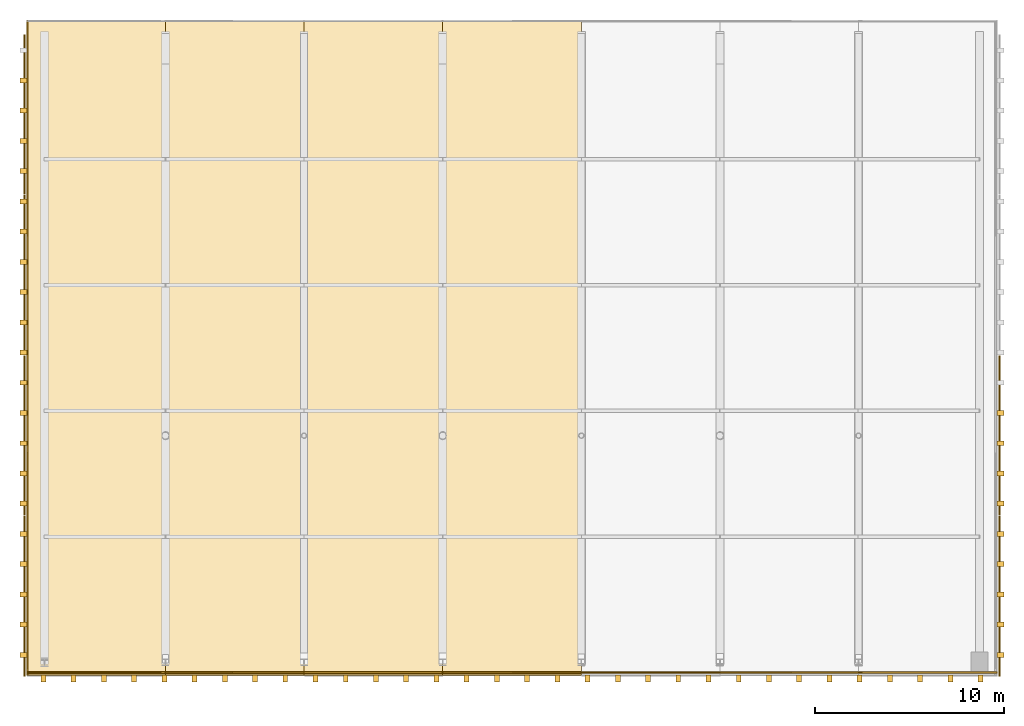
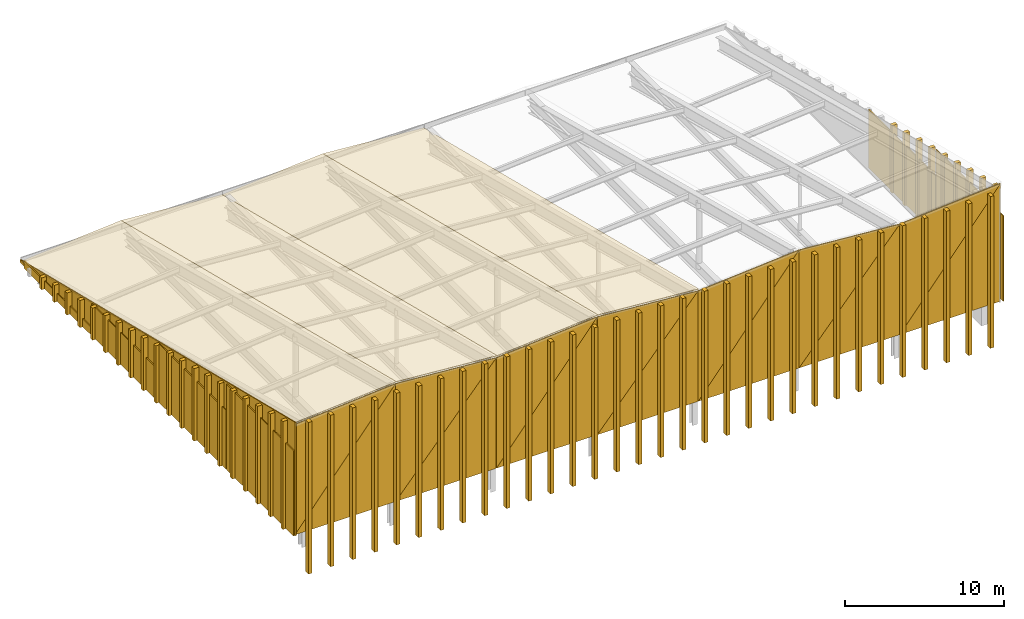
# One storey, part 7 of 8: 87 coverings.
"""IFC4 building model written with IfcOpenShell, lengths in metres."""

import ifcopenshell
import ifcopenshell.guid

model = None  # the IFC model being written
_history = None  # IfcOwnerHistory: only IFC2X3 demands one
_inside = {}  # id of a spatial element -> (the spatial element, [elements in it])
_under = {}  # id of a project, library or spatial element -> (it, [spatial elements below it])
_declared = {}  # id of a project -> (the project, [libraries it declares])
_typed = {}  # id of a type object -> (the type object, [elements of that type])
_made_of = {}  # id of a material, layer set ... -> (it, [elements and type objects made of it])


def new_model(schema):
    """Start an empty IFC model of exactly this schema.

    Asked for "IFC4X3", IfcOpenShell would pick the latest addendum, in which some entities
    have other attributes; the version numbers below select the first issue.
    IFC2X3 requires an IfcOwnerHistory on every rooted entity: one is made here for all.
    """
    global model, _history
    if schema == "IFC4X3":
        model = ifcopenshell.file(schema_version=(4, 3, 0, 0))
    else:
        model = ifcopenshell.file(schema=schema)
    _inside.clear()
    _under.clear()
    _declared.clear()
    _typed.clear()
    _made_of.clear()
    _history = None
    if model.schema == "IFC2X3":
        org = make("IfcOrganization", Name="unknown")
        user = make(
            "IfcPersonAndOrganization",
            ThePerson=make("IfcPerson", FamilyName="unknown"),
            TheOrganization=org,
        )
        app = make(
            "IfcApplication",
            ApplicationDeveloper=org,
            Version="unknown",
            ApplicationFullName="unknown",
            ApplicationIdentifier="unknown",
        )
        _history = make(
            "IfcOwnerHistory",
            OwningUser=user,
            OwningApplication=app,
            ChangeAction="ADDED",
            CreationDate=0,
        )
    return model


def make(cls, **values):
    """One entity of the class cls with the attributes given. An attribute that is None is left unset."""
    return model.create_entity(
        cls, **{name: value for name, value in values.items() if value is not None}
    )


def rooted(cls, **values):
    """An entity with a GlobalId (a new one), such as an element, a storey or a relation."""
    return make(cls, GlobalId=ifcopenshell.guid.new(), OwnerHistory=_history, **values)


def si_unit(unit_type, name, prefix=None):
    """IfcSIUnit, for example si_unit("LENGTHUNIT", "METRE", prefix="MILLI")."""
    return make("IfcSIUnit", UnitType=unit_type, Prefix=prefix, Name=name)


def assignment(units):
    """IfcUnitAssignment: the units of a project."""
    return None if units is None else make("IfcUnitAssignment", Units=units)


def point(xyz):
    """IfcCartesianPoint."""
    return None if xyz is None else make("IfcCartesianPoint", Coordinates=xyz)


def direction(xyz):
    """IfcDirection."""
    return None if xyz is None else make("IfcDirection", DirectionRatios=xyz)


def frame(location, z_axis=None, x_axis=None):
    """IfcAxis2Placement3D, a coordinate frame: its origin and axes. An axis left out is left unset."""
    return make(
        "IfcAxis2Placement3D",
        Location=point(location),
        Axis=direction(z_axis),
        RefDirection=direction(x_axis),
    )


def frame_2d(location, x_axis=None):
    """IfcAxis2Placement2D, a coordinate frame in the plane: its origin and x axis."""
    return make(
        "IfcAxis2Placement2D", Location=point(location), RefDirection=direction(x_axis)
    )


def origin():
    """The frame at (0, 0, 0) with its axes left unset."""
    return frame((0.0, 0.0, 0.0))


def origin_2d():
    """The frame at (0, 0) in the plane with its x axis left unset."""
    return frame_2d((0.0, 0.0))


def place(relative_to, where):
    """IfcLocalPlacement: puts the frame where relative to a parent placement (None: the world)."""
    return make(
        "IfcLocalPlacement", PlacementRelTo=relative_to, RelativePlacement=where
    )


def context(
    kind, dimensions, precision=None, world=None, true_north=None, identifier=None
):
    """IfcGeometricRepresentationContext, for example the 3D "Model" context."""
    return make(
        "IfcGeometricRepresentationContext",
        ContextIdentifier=identifier,
        ContextType=kind,
        CoordinateSpaceDimension=dimensions,
        Precision=precision,
        WorldCoordinateSystem=world,
        TrueNorth=true_north,
    )


def subcontext(parent, identifier, kind, view, scale=None):
    """IfcGeometricRepresentationSubContext, for example "Body" below "Model"."""
    return make(
        "IfcGeometricRepresentationSubContext",
        ContextIdentifier=identifier,
        ContextType=kind,
        ParentContext=parent,
        TargetScale=scale,
        TargetView=view,
    )


def project(units=None, contexts=None):
    """IfcProject with its units and contexts."""
    return rooted(
        "IfcProject",
        Name="project",
        RepresentationContexts=contexts,
        UnitsInContext=assignment(units),
    )


def spatial(cls, under=None, at=None, **own):
    """A site, building, storey or space (cls), placed at a placement, below another one or the project."""
    s = rooted(cls, ObjectPlacement=at, **own)
    if under is not None:
        _under.setdefault(under.id(), (under, []))[1].append(s)
    return s


def polyline(points):
    """IfcPolyline through the points."""
    return make("IfcPolyline", Points=[point(p) for p in points])


def profile(cls, at=None, kind="AREA", **sizes):
    """A parametric profile (cls). Its sizes go by their IFC names, for example OverallWidth=200.0."""
    return make(cls, ProfileType=kind, Position=at, **sizes)


def rectangle(**sizes):
    """IfcRectangleProfileDef."""
    return profile("IfcRectangleProfileDef", **sizes)


def outline(outer, holes=None, kind="AREA"):
    """IfcArbitraryClosedProfileDef: a profile drawn as a closed curve; with holes, ...WithVoids."""
    if holes is None:
        return make("IfcArbitraryClosedProfileDef", ProfileType=kind, OuterCurve=outer)
    return make(
        "IfcArbitraryProfileDefWithVoids",
        ProfileType=kind,
        OuterCurve=outer,
        InnerCurves=holes,
    )


def extrude(swept, where, along, depth):
    """IfcExtrudedAreaSolid: the profile swept, set in the frame where, extruded along a direction by depth."""
    return make(
        "IfcExtrudedAreaSolid",
        SweptArea=swept,
        Position=where,
        ExtrudedDirection=direction(along),
        Depth=depth,
    )


def shape(context_of_items, identifier, shape_type, items):
    """IfcShapeRepresentation: the items that make up one representation, for example the "Body"."""
    return make(
        "IfcShapeRepresentation",
        ContextOfItems=context_of_items,
        RepresentationIdentifier=identifier,
        RepresentationType=shape_type,
        Items=items,
    )


def material(Name=None, Category=None):
    """IfcMaterial."""
    return make("IfcMaterial", Name=Name, Category=Category)


def layer(
    of_material, thickness, ventilated=None, Name=None, Category=None, Priority=None
):
    """IfcMaterialLayer: one layer of a wall or slab, of a material (None: an air gap)."""
    return make(
        "IfcMaterialLayer",
        Material=of_material,
        LayerThickness=thickness,
        IsVentilated=ventilated,
        Name=Name,
        Category=Category,
        Priority=Priority,
    )


def layer_set(layers, Name=None):
    """IfcMaterialLayerSet."""
    return make("IfcMaterialLayerSet", MaterialLayers=layers, LayerSetName=Name)


def made_of(thing, what):
    """Note that an element or type object is made of a material, layer set ...; save() writes the relation."""
    if what is not None:
        _made_of.setdefault(what.id(), (what, []))[1].append(thing)
    return thing


def type_object(cls, material=None, **own):
    """A type object (cls), such as IfcWallType, which elements share."""
    return made_of(rooted(cls, **own), material)


def element(
    cls,
    number,
    at=None,
    inside=None,
    cuts=None,
    type_object=None,
    material=None,
    context=None,
    identifier="Body",
    shape_type=None,
    held_by="IfcProductDefinitionShape",
    body=None,
    shapes=None,
    **own,
):
    """One element of the class cls, such as IfcWall. Its Tag is "e" and its number.

    at: its placement. inside: the storey or other place that contains it. cuts: it is an
    opening in that element (IfcRelVoidsElement). A single representation is given by context,
    identifier, shape_type and body (its items); several are given by shapes. held_by: the class
    of the entity that holds the representations. save() writes the other relations.
    """
    e = rooted(cls, Tag="e%d" % number, ObjectPlacement=at, **own)
    if body is not None:
        shapes = [shape(context, identifier, shape_type, body)]
    if shapes is not None:
        e.Representation = make(held_by, Representations=shapes)
    if inside is not None:
        _inside.setdefault(inside.id(), (inside, []))[1].append(e)
    if cuts is not None:
        rooted(
            "IfcRelVoidsElement", RelatingBuildingElement=cuts, RelatedOpeningElement=e
        )
    if type_object is not None:
        _typed.setdefault(type_object.id(), (type_object, []))[1].append(e)
    return made_of(e, material)


def aggregate(whole, parts):
    """IfcRelAggregates: a whole, such as a stair, and the parts it consists of."""
    return rooted("IfcRelAggregates", RelatingObject=whole, RelatedObjects=parts)


def save(model, path):
    """Write the relations noted so far, then the file.

    IfcRelAggregates (storeys below a building ...), IfcRelContainedInSpatialStructure (elements
    in a storey), IfcRelDefinesByType, IfcRelAssociatesMaterial and IfcRelDeclares: one each for
    every whole, place, type object, material and project.
    """
    for whole, parts in _under.values():
        aggregate(whole, parts)
    for where, things in _inside.values():
        rooted(
            "IfcRelContainedInSpatialStructure",
            RelatedElements=things,
            RelatingStructure=where,
        )
    for kind, things in _typed.values():
        rooted("IfcRelDefinesByType", RelatedObjects=things, RelatingType=kind)
    for what, things in _made_of.values():
        rooted("IfcRelAssociatesMaterial", RelatedObjects=things, RelatingMaterial=what)
    for by, libraries in _declared.values():
        rooted("IfcRelDeclares", RelatingContext=by, RelatedDefinitions=libraries)
    model.write(path)


model = new_model("IFC4")

# Units and contexts
model_context = context("Model", 3, precision=1e-05, world=origin(), true_north=direction((0.0, 1.0)))
body_context = subcontext(model_context, "Body", "Model", "MODEL_VIEW")
ifc_project = project(units=[si_unit("LENGTHUNIT", "METRE"), si_unit("AREAUNIT", "SQUARE_METRE"), si_unit("VOLUMEUNIT", "CUBIC_METRE"), si_unit("PLANEANGLEUNIT", "RADIAN"), si_unit("MASSUNIT", "GRAM", prefix="KILO")], contexts=[model_context])

# Site, building, storey
site_placement = place(None, origin())
site = spatial("IfcSite", under=ifc_project, at=site_placement, CompositionType="ELEMENT")
building_placement = place(site_placement, origin())
building = spatial("IfcBuilding", under=site, at=building_placement, Name="Trimount Lyric Opera House", CompositionType="ELEMENT")
storey_placement = place(building_placement, frame((0.0, 0.0, 34.199951171875)))
storey = spatial("IfcBuildingStorey", under=building, at=storey_placement, Name="RF", CompositionType="ELEMENT", Elevation=34.199951171875)

# Coverings
ifc_material_1 = material(Name="Extruded Brushed Aluminium Vertical Shed Rib", Category="aluminium")
ifc_layer_1 = layer(ifc_material_1, 0.260009765625)
ifc_layer_set_1 = layer_set([ifc_layer_1], Name="CLD-RIB1")
covering_type_1 = type_object("IfcCoveringType", Name="CLD-RIB1", PredefinedType="CLADDING", material=ifc_layer_set_1)
covering_1_placement = place(storey_placement, frame((63.14990234375, 84.39990234375, -0.02001953125), z_axis=(0.0, 0.0, 1.0), x_axis=(1.0, 0.0, 0.0)))
element("IfcCovering", 1, at=covering_1_placement, inside=storey, type_object=covering_type_1, Name="Fly-tower W crown vertical rib 020", PredefinedType="CLADDING", context=body_context, shape_type="SweptSolid", body=[
    extrude(rectangle(XDim=0.3798828125, YDim=0.260009765625, at=origin_2d()), origin(), (0.0, 0.0, 1.0), 8.3076171875),
])
covering_2_placement = place(storey_placement, frame((63.14990234375, 86.0, -0.02001953125), z_axis=(0.0, 0.0, 1.0), x_axis=(1.0, 0.0, 0.0)))
element("IfcCovering", 2, at=covering_2_placement, inside=storey, type_object=covering_type_1, Name="Fly-tower W crown vertical rib 022", PredefinedType="CLADDING", context=body_context, shape_type="SweptSolid", body=[
    extrude(rectangle(XDim=0.3798828125, YDim=0.260009765625, at=origin_2d()), origin(), (0.0, 0.0, 1.0), 7.91845703125),
])
covering_3_placement = place(storey_placement, frame((63.14990234375, 87.60009765625, -0.02001953125), z_axis=(0.0, 0.0, 1.0), x_axis=(1.0, 0.0, 0.0)))
element("IfcCovering", 3, at=covering_3_placement, inside=storey, type_object=covering_type_1, Name="Fly-tower W crown vertical rib 024", PredefinedType="CLADDING", context=body_context, shape_type="SweptSolid", body=[
    extrude(rectangle(XDim=0.3798828125, YDim=0.260009765625, at=origin_2d()), origin(), (0.0, 0.0, 1.0), 7.529541015625),
])
covering_4_placement = place(storey_placement, frame((63.14990234375, 89.199951171875, -0.02001953125), z_axis=(0.0, 0.0, 1.0), x_axis=(1.0, 0.0, 0.0)))
element("IfcCovering", 4, at=covering_4_placement, inside=storey, type_object=covering_type_1, Name="Fly-tower W crown vertical rib 026", PredefinedType="CLADDING", context=body_context, shape_type="SweptSolid", body=[
    extrude(rectangle(XDim=0.3798828125, YDim=0.260009765625, at=origin_2d()), origin(), (0.0, 0.0, 1.0), 7.140625),
])
covering_5_placement = place(storey_placement, frame((63.14990234375, 90.800048828125, -0.02001953125), z_axis=(0.0, 0.0, 1.0), x_axis=(1.0, 0.0, 0.0)))
element("IfcCovering", 5, at=covering_5_placement, inside=storey, type_object=covering_type_1, Name="Fly-tower W crown vertical rib 028", PredefinedType="CLADDING", context=body_context, shape_type="SweptSolid", body=[
    extrude(rectangle(XDim=0.3798828125, YDim=0.260009765625, at=origin_2d()), origin(), (0.0, 0.0, 1.0), 6.751708984375),
])
covering_6_placement = place(storey_placement, frame((63.14990234375, 92.39990234375, -0.02001953125), z_axis=(0.0, 0.0, 1.0), x_axis=(1.0, 0.0, 0.0)))
element("IfcCovering", 6, at=covering_6_placement, inside=storey, type_object=covering_type_1, Name="Fly-tower W crown vertical rib 030", PredefinedType="CLADDING", context=body_context, shape_type="SweptSolid", body=[
    extrude(rectangle(XDim=0.3798828125, YDim=0.260009765625, at=origin_2d()), origin(), (0.0, 0.0, 1.0), 6.36279296875),
])
covering_7_placement = place(storey_placement, frame((63.14990234375, 94.0, -0.02001953125), z_axis=(0.0, 0.0, 1.0), x_axis=(1.0, 0.0, 0.0)))
element("IfcCovering", 7, at=covering_7_placement, inside=storey, type_object=covering_type_1, Name="Fly-tower W crown vertical rib 032", PredefinedType="CLADDING", context=body_context, shape_type="SweptSolid", body=[
    extrude(rectangle(XDim=0.3798828125, YDim=0.260009765625, at=origin_2d()), origin(), (0.0, 0.0, 1.0), 5.973876953125),
])
covering_8_placement = place(storey_placement, frame((63.14990234375, 95.60009765625, -0.02001953125), z_axis=(0.0, 0.0, 1.0), x_axis=(1.0, 0.0, 0.0)))
element("IfcCovering", 8, at=covering_8_placement, inside=storey, type_object=covering_type_1, Name="Fly-tower W crown vertical rib 034", PredefinedType="CLADDING", context=body_context, shape_type="SweptSolid", body=[
    extrude(rectangle(XDim=0.3798828125, YDim=0.260009765625, at=origin_2d()), origin(), (0.0, 0.0, 1.0), 5.5849609375),
])
covering_9_placement = place(storey_placement, frame((63.14990234375, 97.199951171875, -0.02001953125), z_axis=(0.0, 0.0, 1.0), x_axis=(1.0, 0.0, 0.0)))
element("IfcCovering", 9, at=covering_9_placement, inside=storey, type_object=covering_type_1, Name="Fly-tower W crown vertical rib 036", PredefinedType="CLADDING", context=body_context, shape_type="SweptSolid", body=[
    extrude(rectangle(XDim=0.3798828125, YDim=0.260009765625, at=origin_2d()), origin(), (0.0, 0.0, 1.0), 5.196044921875),
])
covering_10_placement = place(storey_placement, frame((63.14990234375, 98.800048828125, -0.02001953125), z_axis=(0.0, 0.0, 1.0), x_axis=(1.0, 0.0, 0.0)))
element("IfcCovering", 10, at=covering_10_placement, inside=storey, type_object=covering_type_1, Name="Fly-tower W crown vertical rib 038", PredefinedType="CLADDING", context=body_context, shape_type="SweptSolid", body=[
    extrude(rectangle(XDim=0.3798828125, YDim=0.260009765625, at=origin_2d()), origin(), (0.0, 0.0, 1.0), 4.80712890625),
])
covering_11_placement = place(storey_placement, frame((63.14990234375, 100.39990234375, -0.02001953125), z_axis=(0.0, 0.0, 1.0), x_axis=(1.0, 0.0, 0.0)))
element("IfcCovering", 11, at=covering_11_placement, inside=storey, type_object=covering_type_1, Name="Fly-tower W crown vertical rib 040", PredefinedType="CLADDING", context=body_context, shape_type="SweptSolid", body=[
    extrude(rectangle(XDim=0.3798828125, YDim=0.260009765625, at=origin_2d()), origin(), (0.0, 0.0, 1.0), 4.418212890625),
])
covering_12_placement = place(storey_placement, frame((63.14990234375, 102.0, -0.02001953125), z_axis=(0.0, 0.0, 1.0), x_axis=(1.0, 0.0, 0.0)))
element("IfcCovering", 12, at=covering_12_placement, inside=storey, type_object=covering_type_1, Name="Fly-tower W crown vertical rib 042", PredefinedType="CLADDING", context=body_context, shape_type="SweptSolid", body=[
    extrude(rectangle(XDim=0.3798828125, YDim=0.260009765625, at=origin_2d()), origin(), (0.0, 0.0, 1.0), 4.029296875),
])
covering_13_placement = place(storey_placement, frame((63.14990234375, 103.60009765625, -0.02001953125), z_axis=(0.0, 0.0, 1.0), x_axis=(1.0, 0.0, 0.0)))
element("IfcCovering", 13, at=covering_13_placement, inside=storey, type_object=covering_type_1, Name="Fly-tower W crown vertical rib 044", PredefinedType="CLADDING", context=body_context, shape_type="SweptSolid", body=[
    extrude(rectangle(XDim=0.3798828125, YDim=0.260009765625, at=origin_2d()), origin(), (0.0, 0.0, 1.0), 3.640380859375),
])
covering_14_placement = place(storey_placement, frame((63.14990234375, 105.199951171875, -0.02001953125), z_axis=(0.0, 0.0, 1.0), x_axis=(1.0, 0.0, 0.0)))
element("IfcCovering", 14, at=covering_14_placement, inside=storey, type_object=covering_type_1, Name="Fly-tower W crown vertical rib 046", PredefinedType="CLADDING", context=body_context, shape_type="SweptSolid", body=[
    extrude(rectangle(XDim=0.3798828125, YDim=0.260009765625, at=origin_2d()), origin(), (0.0, 0.0, 1.0), 3.25146484375),
])
covering_15_placement = place(storey_placement, frame((63.14990234375, 106.800048828125, -0.02001953125), z_axis=(0.0, 0.0, 1.0), x_axis=(1.0, 0.0, 0.0)))
element("IfcCovering", 15, at=covering_15_placement, inside=storey, type_object=covering_type_1, Name="Fly-tower W crown vertical rib 048", PredefinedType="CLADDING", context=body_context, shape_type="SweptSolid", body=[
    extrude(rectangle(XDim=0.3798828125, YDim=0.260009765625, at=origin_2d()), origin(), (0.0, 0.0, 1.0), 2.862548828125),
])
covering_16_placement = place(storey_placement, frame((63.14990234375, 108.39990234375, -0.02001953125), z_axis=(0.0, 0.0, 1.0), x_axis=(1.0, 0.0, 0.0)))
element("IfcCovering", 16, at=covering_16_placement, inside=storey, type_object=covering_type_1, Name="Fly-tower W crown vertical rib 050", PredefinedType="CLADDING", context=body_context, shape_type="SweptSolid", body=[
    extrude(rectangle(XDim=0.3798828125, YDim=0.260009765625, at=origin_2d()), origin(), (0.0, 0.0, 1.0), 2.4736328125),
])
covering_17_placement = place(storey_placement, frame((63.14990234375, 110.0, -0.02001953125), z_axis=(0.0, 0.0, 1.0), x_axis=(1.0, 0.0, 0.0)))
element("IfcCovering", 17, at=covering_17_placement, inside=storey, type_object=covering_type_1, Name="Fly-tower W crown vertical rib 052", PredefinedType="CLADDING", context=body_context, shape_type="SweptSolid", body=[
    extrude(rectangle(XDim=0.3798828125, YDim=0.260009765625, at=origin_2d()), origin(), (0.0, 0.0, 1.0), 2.084716796875),
])
covering_18_placement = place(storey_placement, frame((63.14990234375, 111.60009765625, -0.02001953125), z_axis=(0.0, 0.0, 1.0), x_axis=(1.0, 0.0, 0.0)))
element("IfcCovering", 18, at=covering_18_placement, inside=storey, type_object=covering_type_1, Name="Fly-tower W crown vertical rib 054", PredefinedType="CLADDING", context=body_context, shape_type="SweptSolid", body=[
    extrude(rectangle(XDim=0.3798828125, YDim=0.260009765625, at=origin_2d()), origin(), (0.0, 0.0, 1.0), 1.69580078125),
])
covering_19_placement = place(storey_placement, frame((63.14990234375, 113.199951171875, -0.02001953125), z_axis=(0.0, 0.0, 1.0), x_axis=(1.0, 0.0, 0.0)))
element("IfcCovering", 19, at=covering_19_placement, inside=storey, type_object=covering_type_1, Name="Fly-tower W crown vertical rib 056", PredefinedType="CLADDING", context=body_context, shape_type="SweptSolid", body=[
    extrude(rectangle(XDim=0.3798828125, YDim=0.260009765625, at=origin_2d()), origin(), (0.0, 0.0, 1.0), 1.306884765625),
])
covering_20_placement = place(storey_placement, frame((63.14990234375, 114.800048828125, -0.02001953125), z_axis=(0.0, 0.0, 1.0), x_axis=(1.0, 0.0, 0.0)))
element("IfcCovering", 20, at=covering_20_placement, inside=storey, type_object=covering_type_1, Name="Fly-tower W crown vertical rib 058", PredefinedType="CLADDING", context=body_context, shape_type="SweptSolid", body=[
    extrude(rectangle(XDim=0.3798828125, YDim=0.260009765625, at=origin_2d()), origin(), (0.0, 0.0, 1.0), 0.91796875),
])
covering_21_placement = place(storey_placement, frame((114.85009765625, 84.39990234375, -0.02001953125), z_axis=(0.0, 0.0, 1.0), x_axis=(1.0, 0.0, 0.0)))
element("IfcCovering", 21, at=covering_21_placement, inside=storey, type_object=covering_type_1, Name="Fly-tower E crown vertical rib 080", PredefinedType="CLADDING", context=body_context, shape_type="SweptSolid", body=[
    extrude(rectangle(XDim=0.3798828125, YDim=0.260009765625, at=origin_2d()), origin(), (0.0, 0.0, 1.0), 8.3076171875),
])
covering_22_placement = place(storey_placement, frame((114.85009765625, 86.0, -0.02001953125), z_axis=(0.0, 0.0, 1.0), x_axis=(1.0, 0.0, 0.0)))
element("IfcCovering", 22, at=covering_22_placement, inside=storey, type_object=covering_type_1, Name="Fly-tower E crown vertical rib 082", PredefinedType="CLADDING", context=body_context, shape_type="SweptSolid", body=[
    extrude(rectangle(XDim=0.3798828125, YDim=0.260009765625, at=origin_2d()), origin(), (0.0, 0.0, 1.0), 7.91845703125),
])
covering_23_placement = place(storey_placement, frame((114.85009765625, 87.60009765625, -0.02001953125), z_axis=(0.0, 0.0, 1.0), x_axis=(1.0, 0.0, 0.0)))
element("IfcCovering", 23, at=covering_23_placement, inside=storey, type_object=covering_type_1, Name="Fly-tower E crown vertical rib 084", PredefinedType="CLADDING", context=body_context, shape_type="SweptSolid", body=[
    extrude(rectangle(XDim=0.3798828125, YDim=0.260009765625, at=origin_2d()), origin(), (0.0, 0.0, 1.0), 7.529541015625),
])
covering_24_placement = place(storey_placement, frame((114.85009765625, 89.199951171875, -0.02001953125), z_axis=(0.0, 0.0, 1.0), x_axis=(1.0, 0.0, 0.0)))
element("IfcCovering", 24, at=covering_24_placement, inside=storey, type_object=covering_type_1, Name="Fly-tower E crown vertical rib 086", PredefinedType="CLADDING", context=body_context, shape_type="SweptSolid", body=[
    extrude(rectangle(XDim=0.3798828125, YDim=0.260009765625, at=origin_2d()), origin(), (0.0, 0.0, 1.0), 7.140625),
])
covering_25_placement = place(storey_placement, frame((114.85009765625, 90.800048828125, -0.02001953125), z_axis=(0.0, 0.0, 1.0), x_axis=(1.0, 0.0, 0.0)))
element("IfcCovering", 25, at=covering_25_placement, inside=storey, type_object=covering_type_1, Name="Fly-tower E crown vertical rib 088", PredefinedType="CLADDING", context=body_context, shape_type="SweptSolid", body=[
    extrude(rectangle(XDim=0.3798828125, YDim=0.260009765625, at=origin_2d()), origin(), (0.0, 0.0, 1.0), 6.751708984375),
])
covering_26_placement = place(storey_placement, frame((114.85009765625, 92.39990234375, -0.02001953125), z_axis=(0.0, 0.0, 1.0), x_axis=(1.0, 0.0, 0.0)))
element("IfcCovering", 26, at=covering_26_placement, inside=storey, type_object=covering_type_1, Name="Fly-tower E crown vertical rib 090", PredefinedType="CLADDING", context=body_context, shape_type="SweptSolid", body=[
    extrude(rectangle(XDim=0.3798828125, YDim=0.260009765625, at=origin_2d()), origin(), (0.0, 0.0, 1.0), 6.36279296875),
])
covering_27_placement = place(storey_placement, frame((114.85009765625, 94.0, -0.02001953125), z_axis=(0.0, 0.0, 1.0), x_axis=(1.0, 0.0, 0.0)))
element("IfcCovering", 27, at=covering_27_placement, inside=storey, type_object=covering_type_1, Name="Fly-tower E crown vertical rib 092", PredefinedType="CLADDING", context=body_context, shape_type="SweptSolid", body=[
    extrude(rectangle(XDim=0.3798828125, YDim=0.260009765625, at=origin_2d()), origin(), (0.0, 0.0, 1.0), 5.973876953125),
])
covering_28_placement = place(storey_placement, frame((114.85009765625, 95.60009765625, -0.02001953125), z_axis=(0.0, 0.0, 1.0), x_axis=(1.0, 0.0, 0.0)))
element("IfcCovering", 28, at=covering_28_placement, inside=storey, type_object=covering_type_1, Name="Fly-tower E crown vertical rib 094", PredefinedType="CLADDING", context=body_context, shape_type="SweptSolid", body=[
    extrude(rectangle(XDim=0.3798828125, YDim=0.260009765625, at=origin_2d()), origin(), (0.0, 0.0, 1.0), 5.5849609375),
])
covering_29_placement = place(storey_placement, frame((114.85009765625, 97.199951171875, -0.02001953125), z_axis=(0.0, 0.0, 1.0), x_axis=(1.0, 0.0, 0.0)))
element("IfcCovering", 29, at=covering_29_placement, inside=storey, type_object=covering_type_1, Name="Fly-tower E crown vertical rib 096", PredefinedType="CLADDING", context=body_context, shape_type="SweptSolid", body=[
    extrude(rectangle(XDim=0.3798828125, YDim=0.260009765625, at=origin_2d()), origin(), (0.0, 0.0, 1.0), 5.196044921875),
])
for number, where, z_axis, x_axis, name in (
    (30, (64.199951171875, 83.155029296875, -3.0498046875), (0.0, 0.0, 1.0), (1.0, 0.0, 0.0), "Fly-tower south proscenium vertical rib 122"),
    (31, (65.800048828125, 83.155029296875, -3.0498046875), (0.0, 0.0, 1.0), (1.0, 0.0, 0.0), "Fly-tower south proscenium vertical rib 127"),
    (32, (67.39990234375, 83.155029296875, -3.0498046875), (0.0, 0.0, 1.0), (1.0, 0.0, 0.0), "Fly-tower south proscenium vertical rib 132"),
    (33, (69.0, 83.155029296875, -3.0498046875), (0.0, 0.0, 1.0), (1.0, 0.0, 0.0), "Fly-tower south proscenium vertical rib 137"),
    (34, (70.60009765625, 83.155029296875, -3.0498046875), (0.0, 0.0, 1.0), (1.0, 0.0, 0.0), "Fly-tower south proscenium vertical rib 142"),
    (35, (72.199951171875, 83.155029296875, -3.0498046875), (0.0, 0.0, 1.0), (1.0, 0.0, 0.0), "Fly-tower south proscenium vertical rib 147"),
    (36, (73.800048828125, 83.155029296875, -3.0498046875), (0.0, 0.0, 1.0), (1.0, 0.0, 0.0), "Fly-tower south proscenium vertical rib 152"),
    (37, (75.39990234375, 83.155029296875, -3.0498046875), (0.0, 0.0, 1.0), (1.0, 0.0, 0.0), "Fly-tower south proscenium vertical rib 157"),
    (38, (77.0, 83.155029296875, -3.0498046875), (0.0, 0.0, 1.0), (1.0, 0.0, 0.0), "Fly-tower south proscenium vertical rib 162"),
    (39, (78.60009765625, 83.155029296875, -3.0498046875), (0.0, 0.0, 1.0), (1.0, 0.0, 0.0), "Fly-tower south proscenium vertical rib 167"),
    (40, (80.199951171875, 83.155029296875, -3.0498046875), (0.0, 0.0, 1.0), (1.0, 0.0, 0.0), "Fly-tower south proscenium vertical rib 172"),
    (41, (81.800048828125, 83.155029296875, -3.0498046875), (0.0, 0.0, 1.0), (1.0, 0.0, 0.0), "Fly-tower south proscenium vertical rib 177"),
    (42, (83.39990234375, 83.155029296875, -3.0498046875), (0.0, 0.0, 1.0), (1.0, 0.0, 0.0), "Fly-tower south proscenium vertical rib 182"),
    (43, (85.0, 83.155029296875, -3.0498046875), (0.0, 0.0, 1.0), (1.0, 0.0, 0.0), "Fly-tower south proscenium vertical rib 187"),
    (44, (86.60009765625, 83.155029296875, -3.0498046875), (0.0, 0.0, 1.0), (1.0, 0.0, 0.0), "Fly-tower south proscenium vertical rib 192"),
    (45, (88.199951171875, 83.155029296875, -3.0498046875), (0.0, 0.0, 1.0), (1.0, 0.0, 0.0), "Fly-tower south proscenium vertical rib 197"),
    (46, (89.800048828125, 83.155029296875, -3.0498046875), (0.0, 0.0, 1.0), (1.0, 0.0, 0.0), "Fly-tower south proscenium vertical rib 202"),
    (47, (91.39990234375, 83.155029296875, -3.0498046875), (0.0, 0.0, 1.0), (1.0, 0.0, 0.0), "Fly-tower south proscenium vertical rib 207"),
    (48, (93.0, 83.155029296875, -3.0498046875), (0.0, 0.0, 1.0), (1.0, 0.0, 0.0), "Fly-tower south proscenium vertical rib 212"),
    (49, (94.60009765625, 83.155029296875, -3.0498046875), (0.0, 0.0, 1.0), (1.0, 0.0, 0.0), "Fly-tower south proscenium vertical rib 217"),
    (50, (96.199951171875, 83.155029296875, -3.0498046875), (0.0, 0.0, 1.0), (1.0, 0.0, 0.0), "Fly-tower south proscenium vertical rib 222"),
    (51, (97.800048828125, 83.155029296875, -3.0498046875), (0.0, 0.0, 1.0), (1.0, 0.0, 0.0), "Fly-tower south proscenium vertical rib 227"),
    (52, (99.39990234375, 83.155029296875, -3.0498046875), (0.0, 0.0, 1.0), (1.0, 0.0, 0.0), "Fly-tower south proscenium vertical rib 232"),
    (53, (101.0, 83.155029296875, -3.0498046875), (0.0, 0.0, 1.0), (1.0, 0.0, 0.0), "Fly-tower south proscenium vertical rib 237"),
    (54, (102.60009765625, 83.155029296875, -3.0498046875), (0.0, 0.0, 1.0), (1.0, 0.0, 0.0), "Fly-tower south proscenium vertical rib 242"),
    (55, (104.199951171875, 83.155029296875, -3.0498046875), (0.0, 0.0, 1.0), (1.0, 0.0, 0.0), "Fly-tower south proscenium vertical rib 247"),
    (56, (105.800048828125, 83.155029296875, -3.0498046875), (0.0, 0.0, 1.0), (1.0, 0.0, 0.0), "Fly-tower south proscenium vertical rib 252"),
    (57, (107.39990234375, 83.155029296875, -3.0498046875), (0.0, 0.0, 1.0), (1.0, 0.0, 0.0), "Fly-tower south proscenium vertical rib 257"),
    (58, (109.0, 83.155029296875, -3.0498046875), (0.0, 0.0, 1.0), (1.0, 0.0, 0.0), "Fly-tower south proscenium vertical rib 262"),
    (59, (110.60009765625, 83.155029296875, -3.0498046875), (0.0, 0.0, 1.0), (1.0, 0.0, 0.0), "Fly-tower south proscenium vertical rib 267"),
    (60, (112.199951171875, 83.155029296875, -3.0498046875), (0.0, 0.0, 1.0), (1.0, 0.0, 0.0), "Fly-tower south proscenium vertical rib 272"),
    (61, (113.800048828125, 83.155029296875, -3.0498046875), (0.0, 0.0, 1.0), (1.0, 0.0, 0.0), "Fly-tower south proscenium vertical rib 277"),
):
    element("IfcCovering", number, at=place(storey_placement, frame(where, z_axis=z_axis, x_axis=x_axis)), inside=storey, type_object=covering_type_1, Name=name, PredefinedType="CLADDING", context=body_context, shape_type="SweptSolid", body=[
        extrude(rectangle(XDim=0.260009765625, YDim=0.3798828125, at=origin_2d()), origin(), (0.0, 0.0, 1.0), 11.659912109375),
    ])
ifc_material_2 = material(Name="Anodised Aluminium Acoustic Shed Cladding", Category="aluminium")
ifc_layer_2 = layer(ifc_material_2, 0.074951171875)
ifc_layer_set_2 = layer_set([ifc_layer_2], Name="CLD-SHED1")
covering_type_2 = type_object("IfcCoveringType", Name="CLD-SHED1", PredefinedType="CLADDING", material=ifc_layer_set_2)
covering_30_placement = place(storey_placement, frame((63.330078125, 83.419921875, -0.050048828125), z_axis=(0.0, -1.0, 0.0), x_axis=(1.0, 0.0, 0.0)))
element("IfcCovering", 62, at=covering_30_placement, inside=storey, type_object=covering_type_2, Name="RF fly-tower S folded cladding 1.1", PredefinedType="CLADDING", context=body_context, shape_type="SweptSolid", body=[
    extrude(outline(polyline([(0.0, 0.0), (7.317138671875, 0.0), (7.317138671875, 9.06005859375), (0.0, 0.0)])), origin(), (0.0, 0.0, -1.0), 0.074951171875),
])
covering_31_placement = place(storey_placement, frame((63.330078125, 83.419921875, -0.050048828125), z_axis=(0.0, -1.0, 0.0), x_axis=(0.628305876721, 0.0, 0.777966403695)))
element("IfcCovering", 63, at=covering_31_placement, inside=storey, type_object=covering_type_2, Name="RF fly-tower S folded cladding 1.2", PredefinedType="CLADDING", context=body_context, shape_type="SweptSolid", body=[
    extrude(outline(polyline([(0.0, 0.0), (11.645822429765614, 0.0), (6.6049271700385095, 5.33431075756465), (0.0, 0.0)])), origin(), (0.0, 0.0, -1.0), 0.074951171875),
])
covering_32_placement = place(storey_placement, frame((70.667236328125, 83.419921875, -0.050048828125), z_axis=(0.0, -1.0, 0.0), x_axis=(1.0, 0.0, 0.0)))
element("IfcCovering", 64, at=covering_32_placement, inside=storey, type_object=covering_type_2, Name="RF fly-tower S folded cladding 2.1", PredefinedType="CLADDING", context=body_context, shape_type="SweptSolid", body=[
    extrude(outline(polyline([(0.0, 0.0), (7.317138671875, 0.0), (7.317138671875, 8.489990234375), (0.0, 0.0)])), origin(), (0.0, 0.0, -1.0), 0.074951171875),
])
covering_33_placement = place(storey_placement, frame((70.667236328125, 83.419921875, -0.050048828125), z_axis=(0.0, -1.0, 0.0), x_axis=(0.652846543295, 0.0, 0.757490191955)))
element("IfcCovering", 65, at=covering_33_placement, inside=storey, type_object=covering_type_2, Name="RF fly-tower S folded cladding 2.2", PredefinedType="CLADDING", context=body_context, shape_type="SweptSolid", body=[
    extrude(outline(polyline([(0.0, 0.0), (11.208053021075138, 8.881784197001252e-16), (6.862905523302408, 5.9148279349790505), (0.0, 0.0)])), origin(), (0.0, 0.0, -1.0), 0.074951171875),
])
covering_34_placement = place(storey_placement, frame((78.00439453125, 83.419921875, -0.050048828125), z_axis=(0.0, -1.0, 0.0), x_axis=(1.0, 0.0, 0.0)))
element("IfcCovering", 66, at=covering_34_placement, inside=storey, type_object=covering_type_2, Name="RF fly-tower S folded cladding 3.1", PredefinedType="CLADDING", context=body_context, shape_type="SweptSolid", body=[
    extrude(outline(polyline([(0.0, 0.0), (7.317138671875, 0.0), (7.317138671875, 9.06005859375), (0.0, 0.0)])), origin(), (0.0, 0.0, -1.0), 0.074951171875),
])
covering_35_placement = place(storey_placement, frame((78.00439453125, 83.419921875, -0.050048828125), z_axis=(0.0, -1.0, 0.0), x_axis=(0.628305876721, 0.0, 0.777966403695)))
element("IfcCovering", 67, at=covering_35_placement, inside=storey, type_object=covering_type_2, Name="RF fly-tower S folded cladding 3.2", PredefinedType="CLADDING", context=body_context, shape_type="SweptSolid", body=[
    extrude(outline(polyline([(0.0, 0.0), (11.645822429765614, 0.0), (6.6049271700385095, 5.33431075756465), (0.0, 0.0)])), origin(), (0.0, 0.0, -1.0), 0.074951171875),
])
covering_36_placement = place(storey_placement, frame((85.34130859375, 83.419921875, -0.050048828125), z_axis=(0.0, -1.0, 0.0), x_axis=(1.0, 0.0, 0.0)))
element("IfcCovering", 68, at=covering_36_placement, inside=storey, type_object=covering_type_2, Name="RF fly-tower S folded cladding 4.1", PredefinedType="CLADDING", context=body_context, shape_type="SweptSolid", body=[
    extrude(outline(polyline([(0.0, 0.0), (7.3173828125, 0.0), (7.3173828125, 8.489990234375), (0.0, 0.0)])), origin(), (0.0, 0.0, -1.0), 0.074951171875),
])
covering_37_placement = place(storey_placement, frame((85.34130859375, 83.419921875, -0.050048828125), z_axis=(0.0, -1.0, 0.0), x_axis=(0.652859041701, 0.0, 0.757479419964)))
element("IfcCovering", 69, at=covering_37_placement, inside=storey, type_object=covering_type_2, Name="RF fly-tower S folded cladding 4.2", PredefinedType="CLADDING", context=body_context, shape_type="SweptSolid", body=[
    extrude(outline(polyline([(0.0, 0.0), (11.208212408963941, 0.0), (6.862807928433351, 5.9149411712725914), (0.0, 0.0)])), origin(), (0.0, 0.0, -1.0), 0.074951171875),
])
covering_38_placement = place(storey_placement, frame((92.678466796875, 83.419921875, -0.050048828125), z_axis=(0.0, -1.0, 0.0), x_axis=(1.0, 0.0, 0.0)))
element("IfcCovering", 70, at=covering_38_placement, inside=storey, type_object=covering_type_2, Name="RF fly-tower S folded cladding 5.1", PredefinedType="CLADDING", context=body_context, shape_type="SweptSolid", body=[
    extrude(outline(polyline([(0.0, 0.0), (7.317138671875, 0.0), (7.317138671875, 9.06005859375), (0.0, 0.0)])), origin(), (0.0, 0.0, -1.0), 0.074951171875),
])
covering_39_placement = place(storey_placement, frame((92.678466796875, 83.419921875, -0.050048828125), z_axis=(0.0, -1.0, 0.0), x_axis=(0.628305876721, 0.0, 0.777966403695)))
element("IfcCovering", 71, at=covering_39_placement, inside=storey, type_object=covering_type_2, Name="RF fly-tower S folded cladding 5.2", PredefinedType="CLADDING", context=body_context, shape_type="SweptSolid", body=[
    extrude(outline(polyline([(0.0, 0.0), (11.645822429765614, 0.0), (6.6049271700385095, 5.33431075756465), (0.0, 0.0)])), origin(), (0.0, 0.0, -1.0), 0.074951171875),
])
covering_40_placement = place(storey_placement, frame((100.015625, 83.419921875, -0.050048828125), z_axis=(0.0, -1.0, 0.0), x_axis=(1.0, 0.0, 0.0)))
element("IfcCovering", 72, at=covering_40_placement, inside=storey, type_object=covering_type_2, Name="RF fly-tower S folded cladding 6.1", PredefinedType="CLADDING", context=body_context, shape_type="SweptSolid", body=[
    extrude(outline(polyline([(0.0, 0.0), (7.317138671875, 0.0), (7.317138671875, 8.489990234375), (0.0, 0.0)])), origin(), (0.0, 0.0, -1.0), 0.074951171875),
])
covering_41_placement = place(storey_placement, frame((100.015625, 83.419921875, -0.050048828125), z_axis=(0.0, -1.0, 0.0), x_axis=(0.652846543295, 0.0, 0.757490191955)))
element("IfcCovering", 73, at=covering_41_placement, inside=storey, type_object=covering_type_2, Name="RF fly-tower S folded cladding 6.2", PredefinedType="CLADDING", context=body_context, shape_type="SweptSolid", body=[
    extrude(outline(polyline([(0.0, 0.0), (11.208053021075138, 8.881784197001252e-16), (6.862905523302408, 5.9148279349790505), (0.0, 0.0)])), origin(), (0.0, 0.0, -1.0), 0.074951171875),
])
covering_42_placement = place(storey_placement, frame((107.352783203125, 83.419921875, -0.050048828125), z_axis=(0.0, -1.0, 0.0), x_axis=(1.0, 0.0, 0.0)))
element("IfcCovering", 74, at=covering_42_placement, inside=storey, type_object=covering_type_2, Name="RF fly-tower S folded cladding 7.1", PredefinedType="CLADDING", context=body_context, shape_type="SweptSolid", body=[
    extrude(outline(polyline([(0.0, 0.0), (7.317138671875, 0.0), (7.317138671875, 9.06005859375), (0.0, 0.0)])), origin(), (0.0, 0.0, -1.0), 0.074951171875),
])
covering_43_placement = place(storey_placement, frame((107.352783203125, 83.419921875, -0.050048828125), z_axis=(0.0, -1.0, 0.0), x_axis=(0.628305876721, 0.0, 0.777966403695)))
element("IfcCovering", 75, at=covering_43_placement, inside=storey, type_object=covering_type_2, Name="RF fly-tower S folded cladding 7.2", PredefinedType="CLADDING", context=body_context, shape_type="SweptSolid", body=[
    extrude(outline(polyline([(0.0, 0.0), (11.645822429765614, 0.0), (6.6049271700385095, 5.33431075756465), (0.0, 0.0)])), origin(), (0.0, 0.0, -1.0), 0.074951171875),
])
covering_44_placement = place(storey_placement, frame((63.3798828125, 83.320068359375, -0.050048828125), z_axis=(1.0, 0.0, 0.0), x_axis=(0.0, 1.0, 0.0)))
element("IfcCovering", 76, at=covering_44_placement, inside=storey, type_object=covering_type_2, Name="RF fly-tower W full raked gable cladding 1", PredefinedType="CLADDING", context=body_context, shape_type="SweptSolid", body=[
    extrude(outline(polyline([(0.0, 0.0), (34.679931640625, 0.0), (34.679931640625, 0.22998046875), (0.0, 0.0)])), origin(), (0.0, 0.0, -1.0), 0.074951171875),
])
covering_45_placement = place(storey_placement, frame((63.3798828125, 83.320068359375, -0.050048828125), z_axis=(1.0, 0.0, 0.0), x_axis=(0.0, 0.999978012233, 0.006631368665)))
element("IfcCovering", 77, at=covering_45_placement, inside=storey, type_object=covering_type_2, Name="RF fly-tower W full raked gable cladding 2", PredefinedType="CLADDING", context=body_context, shape_type="SweptSolid", body=[
    extrude(outline(polyline([(0.0, 0.0), (34.680694191645436, 0.0), (0.0578917189283117, 8.729788515974256), (0.0, 0.0)])), origin(), (0.0, 0.0, -1.0), 0.074951171875),
])
covering_46_placement = place(storey_placement, frame((63.197509765625, 87.5, 0.0), z_axis=(0.0, 0.0, 1.0), x_axis=(1.0, 0.0, 0.0)))
element("IfcCovering", 78, at=covering_46_placement, inside=storey, type_object=covering_type_2, Name="RF fly-tower W gable cladding 1", PredefinedType="CLADDING", context=body_context, shape_type="SweptSolid", body=[
    extrude(rectangle(XDim=0.074951171875, YDim=8.449951171875, at=origin_2d()), origin(), (0.0, 0.0, 1.0), 6.568603515625),
])
covering_47_placement = place(storey_placement, frame((63.197509765625, 96.0, 0.0), z_axis=(0.0, 0.0, 1.0), x_axis=(1.0, 0.0, 0.0)))
element("IfcCovering", 79, at=covering_47_placement, inside=storey, type_object=covering_type_2, Name="RF fly-tower W gable cladding 2", PredefinedType="CLADDING", context=body_context, shape_type="SweptSolid", body=[
    extrude(rectangle(XDim=0.074951171875, YDim=8.449951171875, at=origin_2d()), origin(), (0.0, 0.0, 1.0), 4.510009765625),
])
covering_48_placement = place(storey_placement, frame((63.197509765625, 104.5, 0.0), z_axis=(0.0, 0.0, 1.0), x_axis=(1.0, 0.0, 0.0)))
element("IfcCovering", 80, at=covering_48_placement, inside=storey, type_object=covering_type_2, Name="RF fly-tower W gable cladding 3", PredefinedType="CLADDING", context=body_context, shape_type="SweptSolid", body=[
    extrude(rectangle(XDim=0.074951171875, YDim=8.449951171875, at=origin_2d()), origin(), (0.0, 0.0, 1.0), 2.450927734375),
])
covering_49_placement = place(storey_placement, frame((63.197509765625, 113.0, 0.0), z_axis=(0.0, 0.0, 1.0), x_axis=(1.0, 0.0, 0.0)))
element("IfcCovering", 81, at=covering_49_placement, inside=storey, type_object=covering_type_2, Name="RF fly-tower W gable cladding 4", PredefinedType="CLADDING", context=body_context, shape_type="SweptSolid", body=[
    extrude(rectangle(XDim=0.074951171875, YDim=8.449951171875, at=origin_2d()), origin(), (0.0, 0.0, 1.0), 0.60009765625),
])
covering_50_placement = place(storey_placement, frame((114.802490234375, 87.5, 0.0), z_axis=(0.0, 0.0, 1.0), x_axis=(1.0, 0.0, 0.0)))
element("IfcCovering", 82, at=covering_50_placement, inside=storey, type_object=covering_type_2, Name="RF fly-tower E gable cladding 1", PredefinedType="CLADDING", context=body_context, shape_type="SweptSolid", body=[
    extrude(rectangle(XDim=0.074951171875, YDim=8.449951171875, at=origin_2d()), origin(), (0.0, 0.0, 1.0), 6.568603515625),
])
covering_51_placement = place(storey_placement, frame((114.802490234375, 96.0, 0.0), z_axis=(0.0, 0.0, 1.0), x_axis=(1.0, 0.0, 0.0)))
element("IfcCovering", 83, at=covering_51_placement, inside=storey, type_object=covering_type_2, Name="RF fly-tower E gable cladding 2", PredefinedType="CLADDING", context=body_context, shape_type="SweptSolid", body=[
    extrude(rectangle(XDim=0.074951171875, YDim=8.449951171875, at=origin_2d()), origin(), (0.0, 0.0, 1.0), 4.510009765625),
])
ifc_material_3 = material(Name="Zinc-Titanium Standing-Seam Acoustic Roofing")
ifc_layer_3 = layer(ifc_material_3, 0.044921875)
ifc_layer_set_3 = layer_set([ifc_layer_3], Name="RFG-SHED1")
covering_type_3 = type_object("IfcCoveringType", Name="RFG-SHED1", PredefinedType="ROOFING", material=ifc_layer_set_3)
covering_52_placement = place(storey_placement, frame((63.320068359375, 83.320068359375, 8.671142578125), z_axis=(-0.07516726513, 0.240799461316, 0.967659806793), x_axis=(0.996996612664, 3.865045e-06, 0.077445169771)))
element("IfcCovering", 84, at=covering_52_placement, inside=storey, type_object=covering_type_3, Name="Standing-seam zinc-titanium roofing on RF-SLAB-N-01", PredefinedType="ROOFING", context=body_context, shape_type="SweptSolid", body=[
    extrude(outline(polyline([(0.0, 0.0), (7.3592520084588475, 2.7755575615628914e-17), (6.691043308453513, 35.731303265836665), (-0.6682276075174852, 35.73136187827265), (0.0, 0.0)])), origin(), (0.0, 0.0, -1.0), 0.044921875),
])
covering_53_placement = place(storey_placement, frame((70.6572265625, 83.320068359375, 9.240966796875), z_axis=(0.07516726513, 0.240799461316, 0.967659806793), x_axis=(0.996996612664, -3.865045e-06, -0.077445169771)))
element("IfcCovering", 85, at=covering_53_placement, inside=storey, type_object=covering_type_3, Name="Standing-seam zinc-titanium roofing on RF-SLAB-N-02", PredefinedType="ROOFING", context=body_context, shape_type="SweptSolid", body=[
    extrude(outline(polyline([(0.0, 0.0), (7.3592520084588475, -2.7755575615628914e-17), (8.027479615976333, 35.73136187827265), (0.6682087000053343, 35.731303265836665), (0.0, 0.0)])), origin(), (0.0, 0.0, -1.0), 0.044921875),
])
covering_54_placement = place(storey_placement, frame((77.994384765625, 83.320068359375, 8.671142578125), z_axis=(-0.07516726513, 0.240799461316, 0.967659806793), x_axis=(0.996996612664, 3.865045e-06, 0.077445169771)))
element("IfcCovering", 86, at=covering_54_placement, inside=storey, type_object=covering_type_3, Name="Standing-seam zinc-titanium roofing on RF-SLAB-N-03", PredefinedType="ROOFING", context=body_context, shape_type="SweptSolid", body=[
    extrude(outline(polyline([(0.0, 0.0), (7.3592520084588475, 2.7755575615628914e-17), (6.691043308453513, 35.731303265836665), (-0.6682276075174852, 35.73136187827265), (0.0, 0.0)])), origin(), (0.0, 0.0, -1.0), 0.044921875),
])
covering_55_placement = place(storey_placement, frame((85.33154296875, 83.320068359375, 9.240966796875), z_axis=(0.075169752237, 0.240799416042, 0.967659624859), x_axis=(0.996996413681, -3.865172e-06, -0.077447731352)))
element("IfcCovering", 87, at=covering_55_placement, inside=storey, type_object=covering_type_3, Name="Standing-seam zinc-titanium roofing on RF-SLAB-N-04", PredefinedType="ROOFING", context=body_context, shape_type="SweptSolid", body=[
    extrude(outline(polyline([(0.0, 0.0), (7.359008600812434, 0.0), (8.027258310724145, 35.73136146491941), (0.6682308017741743, 35.73130285250614), (0.0, 0.0)])), origin(), (0.0, 0.0, -1.0), 0.044921875),
])

save(model, "model.ifc")
